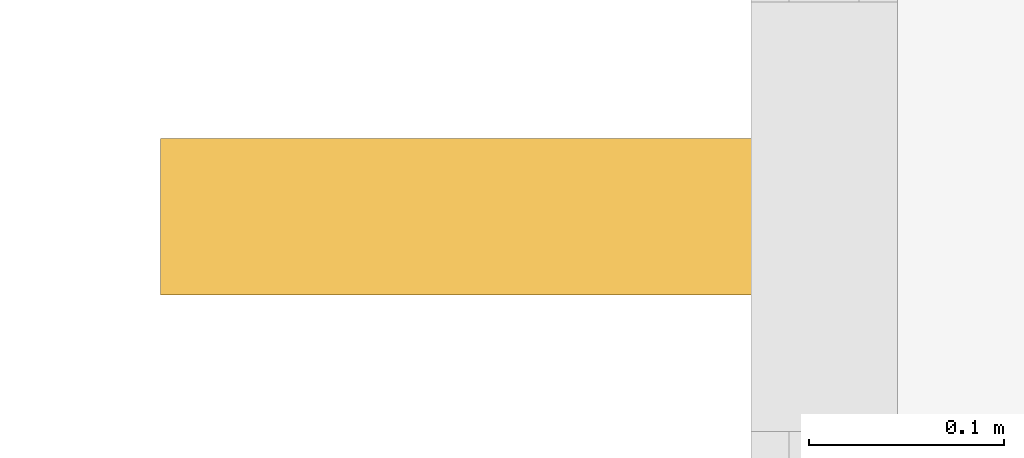
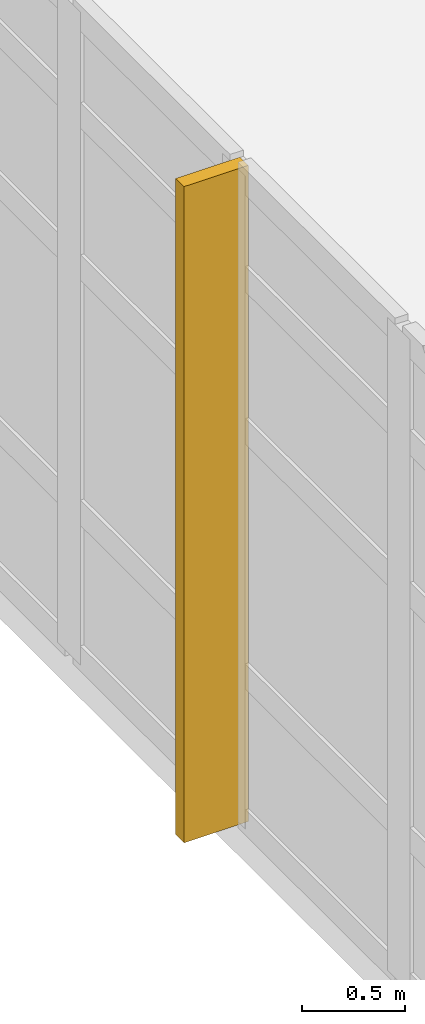
# One storey, part 119 of 122: 1 shading device.
"""IFC4 building model written with IfcOpenShell, lengths in metres."""

from ifc_helpers import new_model, si_unit, direction, frame, origin, origin_2d, place, context, subcontext, project, spatial, rectangle, extrude, material, type_object, element, save


model = new_model("IFC4")

# Units and contexts
model_context = context("Model", 3, precision=1e-05, world=origin(), true_north=direction((0.0, 1.0)))
body_context = subcontext(model_context, "Body", "Model", "MODEL_VIEW")
ifc_project = project(units=[si_unit("LENGTHUNIT", "METRE"), si_unit("AREAUNIT", "SQUARE_METRE"), si_unit("VOLUMEUNIT", "CUBIC_METRE"), si_unit("PLANEANGLEUNIT", "RADIAN"), si_unit("MASSUNIT", "GRAM", prefix="KILO"), si_unit("THERMODYNAMICTEMPERATUREUNIT", "KELVIN"), si_unit("POWERUNIT", "WATT")], contexts=[model_context])

# Site, building, storey
site_placement = place(None, origin())
site = spatial("IfcSite", under=ifc_project, at=site_placement, CompositionType="ELEMENT")
building_placement = place(site_placement, origin())
building = spatial("IfcBuilding", under=site, at=building_placement, Name="Korenveer Ferry Terminal", CompositionType="ELEMENT")
storey_placement = place(building_placement, frame((0.0, 0.0, 10.199951171875)))
storey = spatial("IfcBuildingStorey", under=building, at=storey_placement, Name="L02", CompositionType="ELEMENT", Elevation=10.199951171875)

# Shading device
ifc_material = material(Name="Anodised bronze aluminium solar fin", Category="aluminium")
shading_device_type = type_object("IfcShadingDeviceType", Name="ENV-SHD-FIN", PredefinedType="JALOUSIE", material=ifc_material)
shading_device_placement = place(storey_placement, frame((122.840087890625, 95.0, -0.019775390625), z_axis=(0.0, 0.0, 1.0), x_axis=(1.0, 0.0, 0.0)))
element("IfcShadingDevice", 1, at=shading_device_placement, inside=storey, type_object=shading_device_type, Name="Gothic solar fin 56", PredefinedType="JALOUSIE", context=body_context, shape_type="SweptSolid", body=[
    extrude(rectangle(XDim=0.360107421875, YDim=0.080078125, at=origin_2d()), origin(), (0.0, 0.0, 1.0), 3.8798828125),
])

save(model, "model.ifc")
